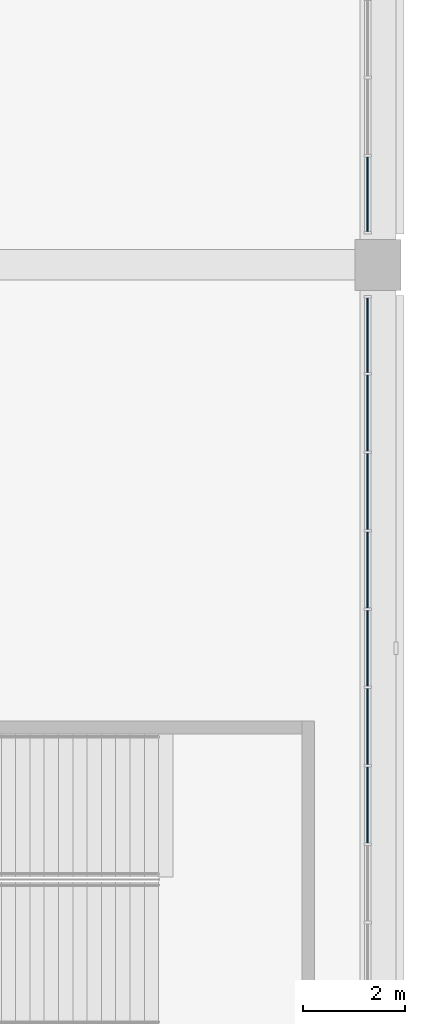
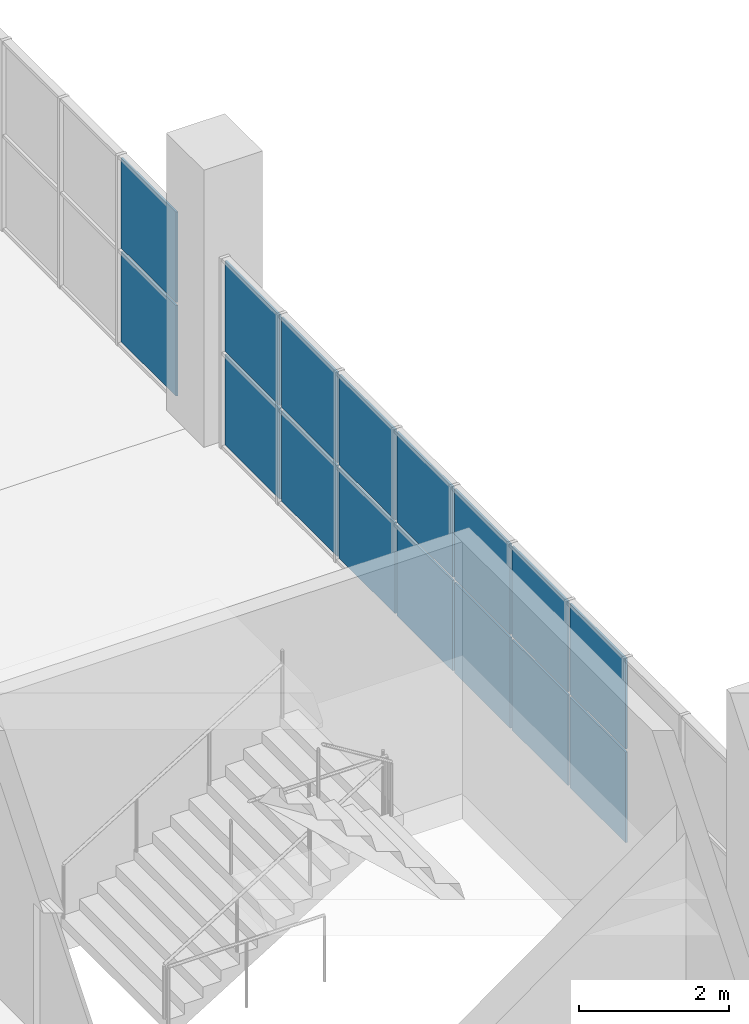
# One storey, part 52 of 177: 16 plates, 2 elements without a shape of their own.
"""IFC4 building model written with IfcOpenShell, lengths in metres."""

import ifcopenshell
import ifcopenshell.guid

model = None  # the IFC model being written
_history = None  # IfcOwnerHistory: only IFC2X3 demands one
_inside = {}  # id of a spatial element -> (the spatial element, [elements in it])
_under = {}  # id of a project, library or spatial element -> (it, [spatial elements below it])
_declared = {}  # id of a project -> (the project, [libraries it declares])
_typed = {}  # id of a type object -> (the type object, [elements of that type])
_made_of = {}  # id of a material, layer set ... -> (it, [elements and type objects made of it])


def new_model(schema):
    """Start an empty IFC model of exactly this schema.

    Asked for "IFC4X3", IfcOpenShell would pick the latest addendum, in which some entities
    have other attributes; the version numbers below select the first issue.
    IFC2X3 requires an IfcOwnerHistory on every rooted entity: one is made here for all.
    """
    global model, _history
    if schema == "IFC4X3":
        model = ifcopenshell.file(schema_version=(4, 3, 0, 0))
    else:
        model = ifcopenshell.file(schema=schema)
    _inside.clear()
    _under.clear()
    _declared.clear()
    _typed.clear()
    _made_of.clear()
    _history = None
    if model.schema == "IFC2X3":
        org = make("IfcOrganization", Name="unknown")
        user = make(
            "IfcPersonAndOrganization",
            ThePerson=make("IfcPerson", FamilyName="unknown"),
            TheOrganization=org,
        )
        app = make(
            "IfcApplication",
            ApplicationDeveloper=org,
            Version="unknown",
            ApplicationFullName="unknown",
            ApplicationIdentifier="unknown",
        )
        _history = make(
            "IfcOwnerHistory",
            OwningUser=user,
            OwningApplication=app,
            ChangeAction="ADDED",
            CreationDate=0,
        )
    return model


def make(cls, **values):
    """One entity of the class cls with the attributes given. An attribute that is None is left unset."""
    return model.create_entity(
        cls, **{name: value for name, value in values.items() if value is not None}
    )


def rooted(cls, **values):
    """An entity with a GlobalId (a new one), such as an element, a storey or a relation."""
    return make(cls, GlobalId=ifcopenshell.guid.new(), OwnerHistory=_history, **values)


def si_unit(unit_type, name, prefix=None):
    """IfcSIUnit, for example si_unit("LENGTHUNIT", "METRE", prefix="MILLI")."""
    return make("IfcSIUnit", UnitType=unit_type, Prefix=prefix, Name=name)


def assignment(units):
    """IfcUnitAssignment: the units of a project."""
    return None if units is None else make("IfcUnitAssignment", Units=units)


def point(xyz):
    """IfcCartesianPoint."""
    return None if xyz is None else make("IfcCartesianPoint", Coordinates=xyz)


def direction(xyz):
    """IfcDirection."""
    return None if xyz is None else make("IfcDirection", DirectionRatios=xyz)


def frame(location, z_axis=None, x_axis=None):
    """IfcAxis2Placement3D, a coordinate frame: its origin and axes. An axis left out is left unset."""
    return make(
        "IfcAxis2Placement3D",
        Location=point(location),
        Axis=direction(z_axis),
        RefDirection=direction(x_axis),
    )


def frame_2d(location, x_axis=None):
    """IfcAxis2Placement2D, a coordinate frame in the plane: its origin and x axis."""
    return make(
        "IfcAxis2Placement2D", Location=point(location), RefDirection=direction(x_axis)
    )


def origin():
    """The frame at (0, 0, 0) with its axes left unset."""
    return frame((0.0, 0.0, 0.0))


def origin_2d():
    """The frame at (0, 0) in the plane with its x axis left unset."""
    return frame_2d((0.0, 0.0))


def place(relative_to, where):
    """IfcLocalPlacement: puts the frame where relative to a parent placement (None: the world)."""
    return make(
        "IfcLocalPlacement", PlacementRelTo=relative_to, RelativePlacement=where
    )


def context(
    kind, dimensions, precision=None, world=None, true_north=None, identifier=None
):
    """IfcGeometricRepresentationContext, for example the 3D "Model" context."""
    return make(
        "IfcGeometricRepresentationContext",
        ContextIdentifier=identifier,
        ContextType=kind,
        CoordinateSpaceDimension=dimensions,
        Precision=precision,
        WorldCoordinateSystem=world,
        TrueNorth=true_north,
    )


def subcontext(parent, identifier, kind, view, scale=None):
    """IfcGeometricRepresentationSubContext, for example "Body" below "Model"."""
    return make(
        "IfcGeometricRepresentationSubContext",
        ContextIdentifier=identifier,
        ContextType=kind,
        ParentContext=parent,
        TargetScale=scale,
        TargetView=view,
    )


def project(units=None, contexts=None):
    """IfcProject with its units and contexts."""
    return rooted(
        "IfcProject",
        Name="project",
        RepresentationContexts=contexts,
        UnitsInContext=assignment(units),
    )


def spatial(cls, under=None, at=None, **own):
    """A site, building, storey or space (cls), placed at a placement, below another one or the project."""
    s = rooted(cls, ObjectPlacement=at, **own)
    if under is not None:
        _under.setdefault(under.id(), (under, []))[1].append(s)
    return s


def profile(cls, at=None, kind="AREA", **sizes):
    """A parametric profile (cls). Its sizes go by their IFC names, for example OverallWidth=200.0."""
    return make(cls, ProfileType=kind, Position=at, **sizes)


def rectangle(**sizes):
    """IfcRectangleProfileDef."""
    return profile("IfcRectangleProfileDef", **sizes)


def extrude(swept, where, along, depth):
    """IfcExtrudedAreaSolid: the profile swept, set in the frame where, extruded along a direction by depth."""
    return make(
        "IfcExtrudedAreaSolid",
        SweptArea=swept,
        Position=where,
        ExtrudedDirection=direction(along),
        Depth=depth,
    )


def shape(context_of_items, identifier, shape_type, items):
    """IfcShapeRepresentation: the items that make up one representation, for example the "Body"."""
    return make(
        "IfcShapeRepresentation",
        ContextOfItems=context_of_items,
        RepresentationIdentifier=identifier,
        RepresentationType=shape_type,
        Items=items,
    )


def material(Name=None, Category=None):
    """IfcMaterial."""
    return make("IfcMaterial", Name=Name, Category=Category)


def layer(
    of_material, thickness, ventilated=None, Name=None, Category=None, Priority=None
):
    """IfcMaterialLayer: one layer of a wall or slab, of a material (None: an air gap)."""
    return make(
        "IfcMaterialLayer",
        Material=of_material,
        LayerThickness=thickness,
        IsVentilated=ventilated,
        Name=Name,
        Category=Category,
        Priority=Priority,
    )


def layer_set(layers, Name=None):
    """IfcMaterialLayerSet."""
    return make("IfcMaterialLayerSet", MaterialLayers=layers, LayerSetName=Name)


def made_of(thing, what):
    """Note that an element or type object is made of a material, layer set ...; save() writes the relation."""
    if what is not None:
        _made_of.setdefault(what.id(), (what, []))[1].append(thing)
    return thing


def type_object(cls, material=None, **own):
    """A type object (cls), such as IfcWallType, which elements share."""
    return made_of(rooted(cls, **own), material)


def element(
    cls,
    number,
    at=None,
    inside=None,
    cuts=None,
    type_object=None,
    material=None,
    context=None,
    identifier="Body",
    shape_type=None,
    held_by="IfcProductDefinitionShape",
    body=None,
    shapes=None,
    **own,
):
    """One element of the class cls, such as IfcWall. Its Tag is "e" and its number.

    at: its placement. inside: the storey or other place that contains it. cuts: it is an
    opening in that element (IfcRelVoidsElement). A single representation is given by context,
    identifier, shape_type and body (its items); several are given by shapes. held_by: the class
    of the entity that holds the representations. save() writes the other relations.
    """
    e = rooted(cls, Tag="e%d" % number, ObjectPlacement=at, **own)
    if body is not None:
        shapes = [shape(context, identifier, shape_type, body)]
    if shapes is not None:
        e.Representation = make(held_by, Representations=shapes)
    if inside is not None:
        _inside.setdefault(inside.id(), (inside, []))[1].append(e)
    if cuts is not None:
        rooted(
            "IfcRelVoidsElement", RelatingBuildingElement=cuts, RelatedOpeningElement=e
        )
    if type_object is not None:
        _typed.setdefault(type_object.id(), (type_object, []))[1].append(e)
    return made_of(e, material)


def aggregate(whole, parts):
    """IfcRelAggregates: a whole, such as a stair, and the parts it consists of."""
    return rooted("IfcRelAggregates", RelatingObject=whole, RelatedObjects=parts)


def save(model, path):
    """Write the relations noted so far, then the file.

    IfcRelAggregates (storeys below a building ...), IfcRelContainedInSpatialStructure (elements
    in a storey), IfcRelDefinesByType, IfcRelAssociatesMaterial and IfcRelDeclares: one each for
    every whole, place, type object, material and project.
    """
    for whole, parts in _under.values():
        aggregate(whole, parts)
    for where, things in _inside.values():
        rooted(
            "IfcRelContainedInSpatialStructure",
            RelatedElements=things,
            RelatingStructure=where,
        )
    for kind, things in _typed.values():
        rooted("IfcRelDefinesByType", RelatedObjects=things, RelatingType=kind)
    for what, things in _made_of.values():
        rooted("IfcRelAssociatesMaterial", RelatedObjects=things, RelatingMaterial=what)
    for by, libraries in _declared.values():
        rooted("IfcRelDeclares", RelatingContext=by, RelatedDefinitions=libraries)
    model.write(path)


model = new_model("IFC4")

# Units and contexts
model_context = context("Model", 3, precision=1e-05, world=origin(), true_north=direction((0.0, 1.0)))
body_context = subcontext(model_context, "Body", "Model", "MODEL_VIEW")
ifc_project = project(units=[si_unit("LENGTHUNIT", "METRE"), si_unit("AREAUNIT", "SQUARE_METRE"), si_unit("VOLUMEUNIT", "CUBIC_METRE"), si_unit("PLANEANGLEUNIT", "RADIAN"), si_unit("MASSUNIT", "GRAM", prefix="KILO")], contexts=[model_context])

# Site, building, storey
site_placement = place(None, origin())
site = spatial("IfcSite", under=ifc_project, at=site_placement, CompositionType="ELEMENT")
building_placement = place(site_placement, origin())
building = spatial("IfcBuilding", under=site, at=building_placement, Name="Ogive Plaza Stadium", CompositionType="ELEMENT")
storey_placement = place(building_placement, frame((0.0, 0.0, 18.0)))
storey = spatial("IfcBuildingStorey", under=building, at=storey_placement, Name="L04", CompositionType="ELEMENT", Elevation=18.0)

# Curtain wall, plates
ifc_material_1 = material(Name="Bronze-anodised aluminium with laminated glass", Category="aluminium")
curtain_wall_type = type_object("IfcCurtainWallType", Name="Lancet curtain wall", PredefinedType="NOTDEFINED", material=ifc_material_1)
curtain_wall_1_placement = place(storey_placement, origin())
curtain_wall_1 = element("IfcCurtainWall", 1, at=curtain_wall_1_placement, inside=storey, type_object=curtain_wall_type, Name="CURTAIN WALL B02 L04", PredefinedType="NOTDEFINED")
ifc_material_2 = material(Name="Laminated glass", Category="glass")
ifc_layer = layer(ifc_material_2, 0.028076171875)
ifc_layer_set = layer_set([ifc_layer], Name="Laminated glass panel 28")
plate_type = type_object("IfcPlateType", Name="Laminated glass panel 28", PredefinedType="CURTAIN_PANEL", material=ifc_layer_set)
plate_1_placement = place(storey_placement, frame((83.800048828125, 23.879150390625, 0.0498046875), z_axis=(0.0, 0.0, 1.0), x_axis=(0.0, -1.0, 0.0)))
plate_1 = element("IfcPlate", 2, at=plate_1_placement, type_object=plate_type, Name="CW-B02-L04 panel 9.1", PredefinedType="CURTAIN_PANEL", context=body_context, shape_type="SweptSolid", body=[
    extrude(rectangle(XDim=1.458251953125, YDim=0.028076171875, at=origin_2d()), origin(), (0.0, 0.0, 1.0), 1.469970703125),
])
plate_2_placement = place(storey_placement, frame((83.800048828125, 23.879150390625, 1.56982421875), z_axis=(0.0, 0.0, 1.0), x_axis=(0.0, -1.0, 0.0)))
plate_2 = element("IfcPlate", 3, at=plate_2_placement, type_object=plate_type, Name="CW-B02-L04 panel 9.2", PredefinedType="CURTAIN_PANEL", context=body_context, shape_type="SweptSolid", body=[
    extrude(rectangle(XDim=1.458251953125, YDim=0.028076171875, at=origin_2d()), origin(), (0.0, 0.0, 1.0), 1.469970703125),
])
aggregate(curtain_wall_1, [plate_1, plate_2])

curtain_wall_2_placement = place(storey_placement, origin())
curtain_wall_2 = element("IfcCurtainWall", 4, at=curtain_wall_2_placement, inside=storey, type_object=curtain_wall_type, Name="CURTAIN WALL B03 L04", PredefinedType="NOTDEFINED")
plate_3_placement = place(storey_placement, frame((83.800048828125, 21.120849609375, 0.0498046875), z_axis=(0.0, 0.0, 1.0), x_axis=(0.0, -1.0, 0.0)))
plate_3 = element("IfcPlate", 5, at=plate_3_placement, type_object=plate_type, Name="CW-B03-L04 panel 1.1", PredefinedType="CURTAIN_PANEL", context=body_context, shape_type="SweptSolid", body=[
    extrude(rectangle(XDim=1.458251953125, YDim=0.028076171875, at=origin_2d()), origin(), (0.0, 0.0, 1.0), 1.469970703125),
])
plate_4_placement = place(storey_placement, frame((83.800048828125, 21.120849609375, 1.56982421875), z_axis=(0.0, 0.0, 1.0), x_axis=(0.0, -1.0, 0.0)))
plate_4 = element("IfcPlate", 6, at=plate_4_placement, type_object=plate_type, Name="CW-B03-L04 panel 1.2", PredefinedType="CURTAIN_PANEL", context=body_context, shape_type="SweptSolid", body=[
    extrude(rectangle(XDim=1.458251953125, YDim=0.028076171875, at=origin_2d()), origin(), (0.0, 0.0, 1.0), 1.469970703125),
])
plate_5_placement = place(storey_placement, frame((83.800048828125, 19.60009765625, 0.0498046875), z_axis=(0.0, 0.0, 1.0), x_axis=(0.0, -1.0, 0.0)))
plate_5 = element("IfcPlate", 7, at=plate_5_placement, type_object=plate_type, Name="CW-B03-L04 panel 2.1", PredefinedType="CURTAIN_PANEL", context=body_context, shape_type="SweptSolid", body=[
    extrude(rectangle(XDim=1.4833984375, YDim=0.028076171875, at=origin_2d()), origin(), (0.0, 0.0, 1.0), 1.469970703125),
])
plate_6_placement = place(storey_placement, frame((83.800048828125, 19.60009765625, 1.56982421875), z_axis=(0.0, 0.0, 1.0), x_axis=(0.0, -1.0, 0.0)))
plate_6 = element("IfcPlate", 8, at=plate_6_placement, type_object=plate_type, Name="CW-B03-L04 panel 2.2", PredefinedType="CURTAIN_PANEL", context=body_context, shape_type="SweptSolid", body=[
    extrude(rectangle(XDim=1.4833984375, YDim=0.028076171875, at=origin_2d()), origin(), (0.0, 0.0, 1.0), 1.469970703125),
])
plate_7_placement = place(storey_placement, frame((83.800048828125, 18.066650390625, 0.0498046875), z_axis=(0.0, 0.0, 1.0), x_axis=(0.0, -1.0, 0.0)))
plate_7 = element("IfcPlate", 9, at=plate_7_placement, type_object=plate_type, Name="CW-B03-L04 panel 3.1", PredefinedType="CURTAIN_PANEL", context=body_context, shape_type="SweptSolid", body=[
    extrude(rectangle(XDim=1.4833984375, YDim=0.028076171875, at=origin_2d()), origin(), (0.0, 0.0, 1.0), 1.469970703125),
])
plate_8_placement = place(storey_placement, frame((83.800048828125, 18.066650390625, 1.56982421875), z_axis=(0.0, 0.0, 1.0), x_axis=(0.0, -1.0, 0.0)))
plate_8 = element("IfcPlate", 10, at=plate_8_placement, type_object=plate_type, Name="CW-B03-L04 panel 3.2", PredefinedType="CURTAIN_PANEL", context=body_context, shape_type="SweptSolid", body=[
    extrude(rectangle(XDim=1.4833984375, YDim=0.028076171875, at=origin_2d()), origin(), (0.0, 0.0, 1.0), 1.469970703125),
])
plate_9_placement = place(storey_placement, frame((83.800048828125, 16.533447265625, 0.0498046875), z_axis=(0.0, 0.0, 1.0), x_axis=(0.0, -1.0, 0.0)))
plate_9 = element("IfcPlate", 11, at=plate_9_placement, type_object=plate_type, Name="CW-B03-L04 panel 4.1", PredefinedType="CURTAIN_PANEL", context=body_context, shape_type="SweptSolid", body=[
    extrude(rectangle(XDim=1.4833984375, YDim=0.028076171875, at=origin_2d()), origin(), (0.0, 0.0, 1.0), 1.469970703125),
])
plate_10_placement = place(storey_placement, frame((83.800048828125, 16.533447265625, 1.56982421875), z_axis=(0.0, 0.0, 1.0), x_axis=(0.0, -1.0, 0.0)))
plate_10 = element("IfcPlate", 12, at=plate_10_placement, type_object=plate_type, Name="CW-B03-L04 panel 4.2", PredefinedType="CURTAIN_PANEL", context=body_context, shape_type="SweptSolid", body=[
    extrude(rectangle(XDim=1.4833984375, YDim=0.028076171875, at=origin_2d()), origin(), (0.0, 0.0, 1.0), 1.469970703125),
])
plate_11_placement = place(storey_placement, frame((83.800048828125, 15.0, 0.0498046875), z_axis=(0.0, 0.0, 1.0), x_axis=(0.0, -1.0, 0.0)))
plate_11 = element("IfcPlate", 13, at=plate_11_placement, type_object=plate_type, Name="CW-B03-L04 panel 5.1", PredefinedType="CURTAIN_PANEL", context=body_context, shape_type="SweptSolid", body=[
    extrude(rectangle(XDim=1.4833984375, YDim=0.028076171875, at=origin_2d()), origin(), (0.0, 0.0, 1.0), 1.469970703125),
])
plate_12_placement = place(storey_placement, frame((83.800048828125, 15.0, 1.56982421875), z_axis=(0.0, 0.0, 1.0), x_axis=(0.0, -1.0, 0.0)))
plate_12 = element("IfcPlate", 14, at=plate_12_placement, type_object=plate_type, Name="CW-B03-L04 panel 5.2", PredefinedType="CURTAIN_PANEL", context=body_context, shape_type="SweptSolid", body=[
    extrude(rectangle(XDim=1.4833984375, YDim=0.028076171875, at=origin_2d()), origin(), (0.0, 0.0, 1.0), 1.469970703125),
])
plate_13_placement = place(storey_placement, frame((83.800048828125, 13.466552734375, 0.0498046875), z_axis=(0.0, 0.0, 1.0), x_axis=(0.0, -1.0, 0.0)))
plate_13 = element("IfcPlate", 15, at=plate_13_placement, type_object=plate_type, Name="CW-B03-L04 panel 6.1", PredefinedType="CURTAIN_PANEL", context=body_context, shape_type="SweptSolid", body=[
    extrude(rectangle(XDim=1.4833984375, YDim=0.028076171875, at=origin_2d()), origin(), (0.0, 0.0, 1.0), 1.469970703125),
])
plate_14_placement = place(storey_placement, frame((83.800048828125, 13.466552734375, 1.56982421875), z_axis=(0.0, 0.0, 1.0), x_axis=(0.0, -1.0, 0.0)))
plate_14 = element("IfcPlate", 16, at=plate_14_placement, type_object=plate_type, Name="CW-B03-L04 panel 6.2", PredefinedType="CURTAIN_PANEL", context=body_context, shape_type="SweptSolid", body=[
    extrude(rectangle(XDim=1.4833984375, YDim=0.028076171875, at=origin_2d()), origin(), (0.0, 0.0, 1.0), 1.469970703125),
])
plate_15_placement = place(storey_placement, frame((83.800048828125, 11.933349609375, 0.0498046875), z_axis=(0.0, 0.0, 1.0), x_axis=(0.0, -1.0, 0.0)))
plate_15 = element("IfcPlate", 17, at=plate_15_placement, type_object=plate_type, Name="CW-B03-L04 panel 7.1", PredefinedType="CURTAIN_PANEL", context=body_context, shape_type="SweptSolid", body=[
    extrude(rectangle(XDim=1.4833984375, YDim=0.028076171875, at=origin_2d()), origin(), (0.0, 0.0, 1.0), 1.469970703125),
])
plate_16_placement = place(storey_placement, frame((83.800048828125, 11.933349609375, 1.56982421875), z_axis=(0.0, 0.0, 1.0), x_axis=(0.0, -1.0, 0.0)))
plate_16 = element("IfcPlate", 18, at=plate_16_placement, type_object=plate_type, Name="CW-B03-L04 panel 7.2", PredefinedType="CURTAIN_PANEL", context=body_context, shape_type="SweptSolid", body=[
    extrude(rectangle(XDim=1.4833984375, YDim=0.028076171875, at=origin_2d()), origin(), (0.0, 0.0, 1.0), 1.469970703125),
])
aggregate(curtain_wall_2, [plate_3, plate_4, plate_5, plate_6, plate_7, plate_8, plate_9, plate_10, plate_11, plate_12, plate_13, plate_14, plate_15, plate_16])

save(model, "model.ifc")
